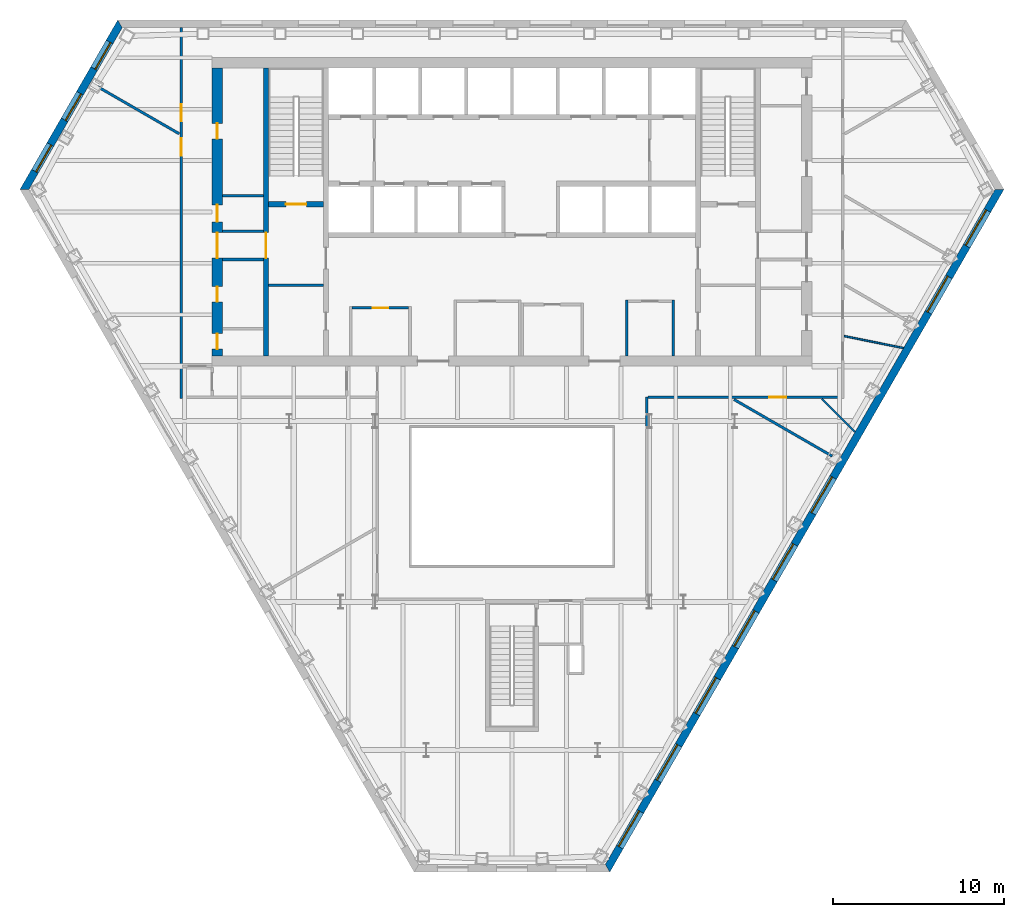
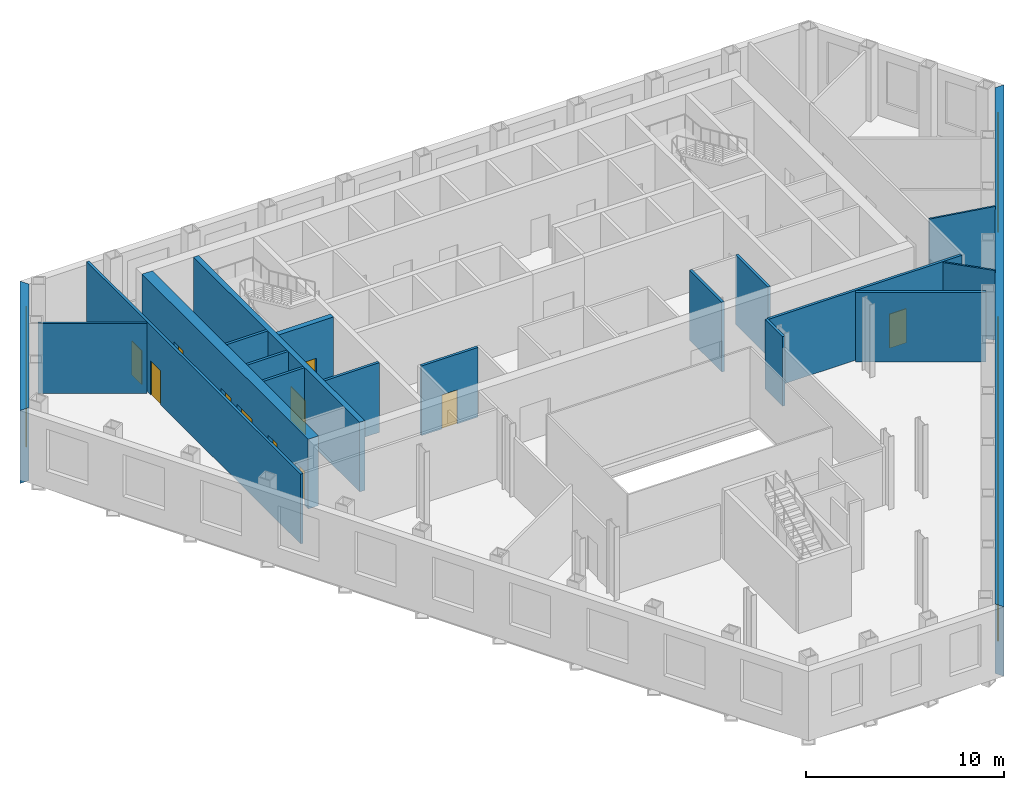
# One storey, part 6 of 11: 19 walls, 11 doors, 11 windows, 22 openings.
"""IFC4 building model written with IfcOpenShell, lengths in metres."""

from ifc_helpers import new_model, si_unit, direction, frame, frame_2d, origin, place, context, subcontext, project, spatial, polyline, rectangle, outline, extrude, material, layer, layer_set, type_object, element, fill, save


model = new_model("IFC4")

# Units and contexts
model_context = context("Model", 3, precision=1e-05, world=origin(), true_north=direction((0.0, 1.0)))
body_context = subcontext(model_context, "Body", "Model", "MODEL_VIEW")
ifc_project = project(units=[si_unit("LENGTHUNIT", "METRE"), si_unit("AREAUNIT", "SQUARE_METRE"), si_unit("VOLUMEUNIT", "CUBIC_METRE"), si_unit("PLANEANGLEUNIT", "RADIAN"), si_unit("MASSUNIT", "GRAM", prefix="KILO")], contexts=[model_context])

# Site, building, storey
site_placement = place(None, origin())
site = spatial("IfcSite", under=ifc_project, at=site_placement, CompositionType="ELEMENT")
building_placement = place(site_placement, origin())
building = spatial("IfcBuilding", under=site, at=building_placement, Name="Njiva Tower", CompositionType="ELEMENT")
storey_placement = place(building_placement, frame((0.0, 0.0, 46.8)))
storey = spatial("IfcBuildingStorey", under=building, at=storey_placement, Name="L09", CompositionType="ELEMENT", Elevation=46.8)

# Walls
ifc_material_1 = material(Name="Blockwork", Category="masonry")
ifc_layer_1 = layer(ifc_material_1, 0.15)
ifc_layer_set_1 = layer_set([ifc_layer_1], Name="Blockwork")
wall_type_1 = type_object("IfcWallType", Name="WT1 Compartment partition 150", PredefinedType="PARTITIONING", material=ifc_layer_set_1)
wall_1_placement = place(storey_placement, frame((-14.2, 4.725, 0.0), z_axis=(0.0, 0.0, 1.0), x_axis=(1.0, 0.0, 0.0)))
element("IfcWall", 1, at=wall_1_placement, inside=storey, type_object=wall_type_1, Name="Room wall A", PredefinedType="PARTITIONING", context=body_context, shape_type="SweptSolid", body=[
    extrude(rectangle(XDim=3.2, YDim=0.15, at=frame_2d((1.6, 0.0))), origin(), (0.0, 0.0, 1.0), 4.3),
])
wall_2_placement = place(storey_placement, frame((-16.9, 9.9575, 0.0), z_axis=(0.0, 0.0, 1.0), x_axis=(1.0, 0.0, 0.0)))
element("IfcWall", 2, at=wall_2_placement, inside=storey, type_object=wall_type_1, Name="Partition strip W10", PredefinedType="PARTITIONING", context=body_context, shape_type="SweptSolid", body=[
    extrude(rectangle(XDim=2.4, YDim=0.15, at=frame_2d((1.2, 0.0))), origin(), (0.0, 0.0, 1.0), 4.3),
])

# Wall, opening, door
wall_3_placement = place(storey_placement, frame((-9.325, 3.4, 0.0), z_axis=(0.0, 0.0, 1.0), x_axis=(1.0, 0.0, 0.0)))
wall_3 = element("IfcWall", 3, at=wall_3_placement, inside=storey, type_object=wall_type_1, Name="Waiting room wall north", PredefinedType="PARTITIONING", context=body_context, shape_type="SweptSolid", body=[
    extrude(rectangle(XDim=3.3, YDim=0.15, at=frame_2d((1.65, 0.0))), origin(), (0.0, 0.0, 1.0), 4.3),
])
opening_1_placement = place(wall_3_placement, frame((1.2, 0.0, 0.0)))
opening_1 = element("IfcOpeningElement", 4, at=opening_1_placement, cuts=wall_3, Name="Opening S03-D932", PredefinedType="OPENING", context=body_context, shape_type="SweptSolid", body=[
    extrude(rectangle(XDim=0.9, YDim=2.1, at=frame_2d((0.45, 1.05))), frame((0.0, 0.085, 0.0), z_axis=(0.0, -1.0, 0.0), x_axis=(1.0, 0.0, 0.0)), (0.0, 0.0, 1.0), 0.17),
])
ifc_material_2 = material(Name="Steel fire door, painted", Category="steel")
door_type_1 = type_object("IfcDoorType", Name="D6 Fire-rated door 900x2100", OperationType="SINGLE_SWING_LEFT", PredefinedType="DOOR", material=ifc_material_2)
door_1_placement = place(opening_1_placement, origin())
door_1 = element("IfcDoor", 5, at=door_1_placement, inside=storey, type_object=door_type_1, Name="Waiting room door", OperationType="SINGLE_SWING_RIGHT", OverallHeight=2.1, OverallWidth=0.9, PredefinedType="DOOR", context=body_context, shape_type="SweptSolid", body=[
    extrude(rectangle(XDim=0.9, YDim=2.1, at=frame_2d((0.45, 1.05))), frame((0.0, 0.025, 0.0), z_axis=(0.0, -1.0, 0.0), x_axis=(1.0, 0.0, 0.0)), (0.0, 0.0, 1.0), 0.05),
])
fill(opening_1, door_1)

# Walls
for number, where, z_axis, x_axis, name in (
    (6, (6.7, 0.6, 0.0), (0.0, 0.0, 1.0), (0.0, 1.0, 0.0), "Security office wall west"),
    (7, (9.4, 0.6, 0.0), (0.0, 0.0, 1.0), (0.0, 1.0, 0.0), "Security office wall east"),
):
    element("IfcWall", number, at=place(storey_placement, frame(where, z_axis=z_axis, x_axis=x_axis)), inside=storey, type_object=wall_type_1, Name=name, PredefinedType="PARTITIONING", context=body_context, shape_type="SweptSolid", body=[
        extrude(rectangle(XDim=3.275, YDim=0.15, at=frame_2d((1.6375, 0.0))), origin(), (0.0, 0.0, 1.0), 4.3),
    ])

# Wall, opening, door
ifc_material_3 = material(Name="Concrete C40/50", Category="concrete")
ifc_layer_2 = layer(ifc_material_3, 0.3)
ifc_layer_set_2 = layer_set([ifc_layer_2], Name="Concrete C40/50")
wall_type_2 = type_object("IfcWallType", Name="WT10 Stair enclosure wall 300", PredefinedType="SHEAR", material=ifc_layer_set_2)
wall_4_placement = place(storey_placement, frame((-14.35, 0.6, 0.0), z_axis=(0.0, 0.0, 1.0), x_axis=(0.0, 1.0, 0.0)))
wall_4 = element("IfcWall", 8, at=wall_4_placement, inside=storey, type_object=wall_type_2, Name="Stair wall west outer", PredefinedType="SHEAR", context=body_context, shape_type="SweptSolid", body=[
    extrude(rectangle(XDim=16.8, YDim=0.3, at=frame_2d((8.4, 0.0))), origin(), (0.0, 0.0, 1.0), 4.3),
])
opening_2_placement = place(wall_4_placement, frame((5.7, 0.0, 0.0)))
opening_2 = element("IfcOpeningElement", 9, at=opening_2_placement, cuts=wall_4, Name="Opening S03-D920", PredefinedType="OPENING", context=body_context, shape_type="SweptSolid", body=[
    extrude(rectangle(XDim=1.5, YDim=2.1, at=frame_2d((0.75, 1.05))), frame((0.0, 0.16, 0.0), z_axis=(0.0, -1.0, 0.0), x_axis=(1.0, 0.0, 0.0)), (0.0, 0.0, 1.0), 0.32),
])
ifc_material_4 = material(Name="Glazed steel fire door", Category="steel")
door_type_2 = type_object("IfcDoorType", Name="D10 Exit door double 1500x2100 glazed", OperationType="DOUBLE_DOOR_SINGLE_SWING", PredefinedType="DOOR", material=ifc_material_4)
door_2_placement = place(opening_2_placement, origin())
door_2 = element("IfcDoor", 10, at=door_2_placement, inside=storey, type_object=door_type_2, Name="Stair A passage door", OperationType="DOUBLE_DOOR_SINGLE_SWING", OverallHeight=2.1, OverallWidth=1.5, PredefinedType="DOOR", context=body_context, shape_type="SweptSolid", body=[
    extrude(rectangle(XDim=1.5, YDim=2.1, at=frame_2d((0.75, 1.05))), frame((0.0, 0.025, 0.0), z_axis=(0.0, -1.0, 0.0), x_axis=(1.0, 0.0, 0.0)), (0.0, 0.0, 1.0), 0.05),
])
fill(opening_2, door_2)

wall_5_placement = place(storey_placement, frame((-14.2, 9.45, 0.0), z_axis=(0.0, 0.0, 1.0), x_axis=(1.0, 0.0, 0.0)))
wall_5 = element("IfcWall", 11, at=wall_5_placement, inside=storey, type_object=wall_type_2, Name="Stair A south wall", PredefinedType="SHEAR", context=body_context, shape_type="SweptSolid", body=[
    extrude(rectangle(XDim=3.2, YDim=0.3, at=frame_2d((1.6, 0.0))), origin(), (0.0, 0.0, 1.0), 4.3),
])
opening_3_placement = place(wall_5_placement, frame((1.0, 0.0, 0.0)))
opening_3 = element("IfcOpeningElement", 12, at=opening_3_placement, cuts=wall_5, Name="Opening S03-D913", PredefinedType="OPENING", context=body_context, shape_type="SweptSolid", body=[
    extrude(rectangle(XDim=1.2, YDim=2.1, at=frame_2d((0.6, 1.05))), frame((0.0, 0.16, 0.0), z_axis=(0.0, -1.0, 0.0), x_axis=(1.0, 0.0, 0.0)), (0.0, 0.0, 1.0), 0.32),
])
door_type_3 = type_object("IfcDoorType", Name="D7 Stair vestibule door 1200x2100 glazed", OperationType="SINGLE_SWING_LEFT", PredefinedType="DOOR", material=ifc_material_4)
door_3_placement = place(opening_3_placement, origin())
door_3 = element("IfcDoor", 13, at=door_3_placement, inside=storey, type_object=door_type_3, Name="Stair A door", OperationType="SINGLE_SWING_LEFT", OverallHeight=2.1, OverallWidth=1.2, PredefinedType="DOOR", context=body_context, shape_type="SweptSolid", body=[
    extrude(rectangle(XDim=1.2, YDim=2.1, at=frame_2d((0.6, 1.05))), frame((0.0, 0.025, 0.0), z_axis=(0.0, -1.0, 0.0), x_axis=(1.0, 0.0, 0.0)), (0.0, 0.0, 1.0), 0.05),
])
fill(opening_3, door_3)

# Wall, openings, doors
ifc_material_5 = material(Name="Concrete C60/75", Category="concrete")
ifc_layer_3 = layer(ifc_material_5, 0.6)
ifc_layer_set_3 = layer_set([ifc_layer_3], Name="Concrete C60/75")
wall_type_3 = type_object("IfcWallType", Name="WT15 Core wall 600", PredefinedType="SHEAR", material=ifc_layer_set_3)
wall_6_placement = place(storey_placement, frame((-17.2, 0.6, 0.0), z_axis=(0.0, 0.0, 1.0), x_axis=(0.0, 1.0, 0.0)))
wall_6 = element("IfcWall", 14, at=wall_6_placement, inside=storey, type_object=wall_type_3, Name="Core wall west", PredefinedType="SHEAR", context=body_context, shape_type="SweptSolid", body=[
    extrude(rectangle(XDim=16.8, YDim=0.6, at=frame_2d((8.4, 0.0))), origin(), (0.0, 0.0, 1.0), 4.3),
])
opening_4_placement = place(wall_6_placement, frame((5.7, 0.0, 0.0)))
opening_4 = element("IfcOpeningElement", 15, at=opening_4_placement, cuts=wall_6, Name="Opening S03-D921", PredefinedType="OPENING", context=body_context, shape_type="SweptSolid", body=[
    extrude(rectangle(XDim=1.5, YDim=2.1, at=frame_2d((0.75, 1.05))), frame((0.0, 0.31, 0.0), z_axis=(0.0, -1.0, 0.0), x_axis=(1.0, 0.0, 0.0)), (0.0, 0.0, 1.0), 0.62),
])
opening_5_placement = place(wall_6_placement, frame((0.4, 0.0, 0.0)))
opening_5 = element("IfcOpeningElement", 16, at=opening_5_placement, cuts=wall_6, Name="Opening S03-D922", PredefinedType="OPENING", context=body_context, shape_type="SweptSolid", body=[
    extrude(rectangle(XDim=0.9, YDim=2.1, at=frame_2d((0.45, 1.05))), frame((0.0, 0.31, 0.0), z_axis=(0.0, -1.0, 0.0), x_axis=(1.0, 0.0, 0.0)), (0.0, 0.0, 1.0), 0.62),
])
opening_6_placement = place(wall_6_placement, frame((3.15, 0.0, 0.0)))
opening_6 = element("IfcOpeningElement", 17, at=opening_6_placement, cuts=wall_6, Name="Opening S03-D923", PredefinedType="OPENING", context=body_context, shape_type="SweptSolid", body=[
    extrude(rectangle(XDim=0.9, YDim=2.1, at=frame_2d((0.45, 1.05))), frame((0.0, 0.31, 0.0), z_axis=(0.0, -1.0, 0.0), x_axis=(1.0, 0.0, 0.0)), (0.0, 0.0, 1.0), 0.62),
])
opening_7_placement = place(wall_6_placement, frame((7.8162, 0.0, 0.0)))
opening_7 = element("IfcOpeningElement", 18, at=opening_7_placement, cuts=wall_6, Name="Opening S03-D924", PredefinedType="OPENING", context=body_context, shape_type="SweptSolid", body=[
    extrude(rectangle(XDim=1.0, YDim=2.1, at=frame_2d((0.5, 1.05))), frame((0.0, 0.31, 0.0), z_axis=(0.0, -1.0, 0.0), x_axis=(1.0, 0.0, 0.0)), (0.0, 0.0, 1.0), 0.62),
])
opening_8_placement = place(wall_6_placement, frame((12.6662, 0.0, 0.0)))
opening_8 = element("IfcOpeningElement", 19, at=opening_8_placement, cuts=wall_6, Name="Opening S03-D925", PredefinedType="OPENING", context=body_context, shape_type="SweptSolid", body=[
    extrude(rectangle(XDim=0.9, YDim=2.1, at=frame_2d((0.45, 1.05))), frame((0.0, 0.31, 0.0), z_axis=(0.0, -1.0, 0.0), x_axis=(1.0, 0.0, 0.0)), (0.0, 0.0, 1.0), 0.62),
])
door_4_placement = place(opening_4_placement, origin())
door_4 = element("IfcDoor", 20, at=door_4_placement, inside=storey, type_object=door_type_2, Name="Stair A corridor door", OperationType="DOUBLE_DOOR_SINGLE_SWING", OverallHeight=2.1, OverallWidth=1.5, PredefinedType="DOOR", context=body_context, shape_type="SweptSolid", body=[
    extrude(rectangle(XDim=1.5, YDim=2.1, at=frame_2d((0.75, 1.05))), frame((0.0, 0.025, 0.0), z_axis=(0.0, -1.0, 0.0), x_axis=(1.0, 0.0, 0.0)), (0.0, 0.0, 1.0), 0.05),
])
fill(opening_4, door_4)
ifc_material_6 = material(Name="Steel door, painted", Category="steel")
door_type_4 = type_object("IfcDoorType", Name="D4 Riser door 900x2100", OperationType="SINGLE_SWING_LEFT", PredefinedType="DOOR", material=ifc_material_6)
door_5_placement = place(opening_5_placement, origin())
door_5 = element("IfcDoor", 21, at=door_5_placement, inside=storey, type_object=door_type_4, Name="Riser door", OperationType="SINGLE_SWING_RIGHT", OverallHeight=2.1, OverallWidth=0.9, PredefinedType="DOOR", context=body_context, shape_type="SweptSolid", body=[
    extrude(rectangle(XDim=0.9, YDim=2.1, at=frame_2d((0.45, 1.05))), frame((0.0, 0.025, 0.0), z_axis=(0.0, -1.0, 0.0), x_axis=(1.0, 0.0, 0.0)), (0.0, 0.0, 1.0), 0.05),
])
fill(opening_5, door_5)
door_type_5 = type_object("IfcDoorType", Name="D5 Steel door 1000x2100", OperationType="SINGLE_SWING_LEFT", PredefinedType="DOOR", material=ifc_material_6)
door_6_placement = place(opening_7_placement, origin())
door_6 = element("IfcDoor", 22, at=door_6_placement, inside=storey, type_object=door_type_5, Name="Electrical room door", OperationType="SINGLE_SWING_LEFT", OverallHeight=2.1, OverallWidth=1.0, PredefinedType="DOOR", context=body_context, shape_type="SweptSolid", body=[
    extrude(rectangle(XDim=1.0, YDim=2.1, at=frame_2d((0.5, 1.05))), frame((0.0, 0.025, 0.0), z_axis=(0.0, -1.0, 0.0), x_axis=(1.0, 0.0, 0.0)), (0.0, 0.0, 1.0), 0.05),
])
fill(opening_7, door_6)
door_7_placement = place(opening_6_placement, origin())
door_7 = element("IfcDoor", 23, at=door_7_placement, inside=storey, type_object=door_type_1, Name="First aid room door", OperationType="SINGLE_SWING_LEFT", OverallHeight=2.1, OverallWidth=0.9, PredefinedType="DOOR", context=body_context, shape_type="SweptSolid", body=[
    extrude(rectangle(XDim=0.9, YDim=2.1, at=frame_2d((0.45, 1.05))), frame((0.0, 0.025, 0.0), z_axis=(0.0, -1.0, 0.0), x_axis=(1.0, 0.0, 0.0)), (0.0, 0.0, 1.0), 0.05),
])
fill(opening_6, door_7)
door_8_placement = place(opening_8_placement, origin())
door_8 = element("IfcDoor", 24, at=door_8_placement, inside=storey, type_object=door_type_1, Name="Breakout room door", OperationType="SINGLE_SWING_RIGHT", OverallHeight=2.1, OverallWidth=0.9, PredefinedType="DOOR", context=body_context, shape_type="SweptSolid", body=[
    extrude(rectangle(XDim=0.9, YDim=2.1, at=frame_2d((0.45, 1.05))), frame((0.0, 0.025, 0.0), z_axis=(0.0, -1.0, 0.0), x_axis=(1.0, 0.0, 0.0)), (0.0, 0.0, 1.0), 0.05),
])
fill(opening_8, door_8)

# Walls
ifc_material_7 = material(Name="Gypsum board on steel studs", Category="gypsum")
ifc_layer_4 = layer(ifc_material_7, 0.1)
ifc_layer_set_4 = layer_set([ifc_layer_4], Name="Gypsum board on steel studs")
wall_type_4 = type_object("IfcWallType", Name="WT20 Gypsum partition 100", PredefinedType="PARTITIONING", material=ifc_layer_set_4)
wall_7_placement = place(storey_placement, frame((18.088, -1.91, 0.0), z_axis=(0.0, 0.0, 1.0), x_axis=(0.707106781187, -0.707106781187, 0.0)))
element("IfcWall", 25, at=wall_7_placement, inside=storey, type_object=wall_type_4, Name="Partition S03-P015", PredefinedType="PARTITIONING", context=body_context, shape_type="SweptSolid", body=[
    extrude(rectangle(XDim=2.7224, YDim=0.1, at=frame_2d((1.3612, 0.0))), origin(), (0.0, 0.0, 1.0), 4.3),
])
wall_8_placement = place(storey_placement, frame((19.385, 1.757, 0.0), z_axis=(0.0, 0.0, 1.0), x_axis=(0.980240840704, -0.197807720316, 0.0)))
element("IfcWall", 26, at=wall_8_placement, inside=storey, type_object=wall_type_4, Name="Partition S03-P018", PredefinedType="PARTITIONING", context=body_context, shape_type="SweptSolid", body=[
    extrude(rectangle(XDim=3.5236, YDim=0.1, at=frame_2d((1.7618, 0.0))), origin(), (0.0, 0.0, 1.0), 4.3),
])
ifc_layer_5 = layer(ifc_material_7, 0.15)
ifc_layer_set_5 = layer_set([ifc_layer_5], Name="Gypsum board on steel studs")
wall_type_5 = type_object("IfcWallType", Name="WT21 Compartment wall 150", PredefinedType="PARTITIONING", material=ifc_layer_set_5)
wall_9_placement = place(storey_placement, frame((-24.199, 16.323, 0.0), z_axis=(0.0, 0.0, 1.0), x_axis=(0.866086170813, -0.499894733645, 0.0)))
element("IfcWall", 27, at=wall_9_placement, inside=storey, type_object=wall_type_5, Name="Partition S03-P001", PredefinedType="PARTITIONING", context=body_context, shape_type="SweptSolid", body=[
    extrude(rectangle(XDim=5.5272, YDim=0.15, at=frame_2d((2.7636, 0.0))), origin(), (0.0, 0.0, 1.0), 4.3),
])

# Wall, openings, doors
wall_10_placement = place(storey_placement, frame((-19.3, -1.875, 0.0), z_axis=(0.0, 0.0, 1.0), x_axis=(0.0, 1.0, 0.0)))
wall_10 = element("IfcWall", 28, at=wall_10_placement, inside=storey, type_object=wall_type_5, Name="Partition S03-P002", PredefinedType="PARTITIONING", context=body_context, shape_type="SweptSolid", body=[
    extrude(rectangle(XDim=21.624, YDim=0.15, at=frame_2d((10.812, 0.0))), origin(), (0.0, 0.0, 1.0), 4.3),
])
opening_9_placement = place(wall_10_placement, frame((14.166, 0.0, 0.0)))
opening_9 = element("IfcOpeningElement", 29, at=opening_9_placement, cuts=wall_10, Name="Opening S03-D001", PredefinedType="OPENING", context=body_context, shape_type="SweptSolid", body=[
    extrude(rectangle(XDim=1.0, YDim=2.1, at=frame_2d((0.5, 1.05))), frame((0.0, 0.085, 0.0), z_axis=(0.0, -1.0, 0.0), x_axis=(1.0, 0.0, 0.0)), (0.0, 0.0, 1.0), 0.17),
])
opening_10_placement = place(wall_10_placement, frame((16.17, 0.0, 0.0)))
opening_10 = element("IfcOpeningElement", 30, at=opening_10_placement, cuts=wall_10, Name="Opening S03-D002", PredefinedType="OPENING", context=body_context, shape_type="SweptSolid", body=[
    extrude(rectangle(XDim=1.0, YDim=2.1, at=frame_2d((0.5, 1.05))), frame((0.0, 0.085, 0.0), z_axis=(0.0, -1.0, 0.0), x_axis=(1.0, 0.0, 0.0)), (0.0, 0.0, 1.0), 0.17),
])
ifc_material_8 = material(Name="Steel fire door set", Category="steel")
door_type_6 = type_object("IfcDoorType", Name="D37 Fire door 1000x2100", OperationType="SINGLE_SWING_LEFT", PredefinedType="DOOR", material=ifc_material_8)
door_9_placement = place(opening_9_placement, origin())
door_9 = element("IfcDoor", 31, at=door_9_placement, inside=storey, type_object=door_type_6, Name="Door S03-D001", OperationType="SINGLE_SWING_LEFT", OverallHeight=2.1, OverallWidth=1.0, PredefinedType="DOOR", context=body_context, shape_type="SweptSolid", body=[
    extrude(rectangle(XDim=1.0, YDim=2.1, at=frame_2d((0.5, 1.05))), frame((0.0, 0.025, 0.0), z_axis=(0.0, -1.0, 0.0), x_axis=(1.0, 0.0, 0.0)), (0.0, 0.0, 1.0), 0.05),
])
fill(opening_9, door_9)
door_10_placement = place(opening_10_placement, origin())
door_10 = element("IfcDoor", 32, at=door_10_placement, inside=storey, type_object=door_type_6, Name="Door S03-D002", OperationType="SINGLE_SWING_LEFT", OverallHeight=2.1, OverallWidth=1.0, PredefinedType="DOOR", context=body_context, shape_type="SweptSolid", body=[
    extrude(rectangle(XDim=1.0, YDim=2.1, at=frame_2d((0.5, 1.05))), frame((0.0, 0.025, 0.0), z_axis=(0.0, -1.0, 0.0), x_axis=(1.0, 0.0, 0.0)), (0.0, 0.0, 1.0), 0.05),
])
fill(opening_10, door_10)

# Wall
wall_11_placement = place(storey_placement, frame((7.85, -3.557, 0.0), z_axis=(0.0, 0.0, 1.0), x_axis=(0.0, 1.0, 0.0)))
element("IfcWall", 33, at=wall_11_placement, inside=storey, type_object=wall_type_5, Name="Partition S03-P012A", PredefinedType="PARTITIONING", context=body_context, shape_type="SweptSolid", body=[
    extrude(rectangle(XDim=1.769, YDim=0.15, at=frame_2d((0.8845, 0.0))), origin(), (0.0, 0.0, 1.0), 4.3),
])

# Wall, opening, door
wall_12_placement = place(storey_placement, frame((7.925, -1.8, 0.0), z_axis=(0.0, 0.0, 1.0), x_axis=(1.0, 0.0, 0.0)))
wall_12 = element("IfcWall", 34, at=wall_12_placement, inside=storey, type_object=wall_type_5, Name="Partition S03-P013", PredefinedType="PARTITIONING", context=body_context, shape_type="SweptSolid", body=[
    extrude(rectangle(XDim=11.3, YDim=0.15, at=frame_2d((5.65, 0.0))), origin(), (0.0, 0.0, 1.0), 4.3),
])
opening_11_placement = place(wall_12_placement, frame((7.087, 0.0, 0.0)))
opening_11 = element("IfcOpeningElement", 35, at=opening_11_placement, cuts=wall_12, Name="Opening S03-D008", PredefinedType="OPENING", context=body_context, shape_type="SweptSolid", body=[
    extrude(rectangle(XDim=1.0, YDim=2.1, at=frame_2d((0.5, 1.05))), frame((0.0, 0.085, 0.0), z_axis=(0.0, -1.0, 0.0), x_axis=(1.0, 0.0, 0.0)), (0.0, 0.0, 1.0), 0.17),
])
door_11_placement = place(opening_11_placement, origin())
door_11 = element("IfcDoor", 36, at=door_11_placement, inside=storey, type_object=door_type_6, Name="Door S03-D008", OperationType="SINGLE_SWING_RIGHT", OverallHeight=2.1, OverallWidth=1.0, PredefinedType="DOOR", context=body_context, shape_type="SweptSolid", body=[
    extrude(rectangle(XDim=1.0, YDim=2.1, at=frame_2d((0.5, 1.05))), frame((0.0, 0.025, 0.0), z_axis=(0.0, -1.0, 0.0), x_axis=(1.0, 0.0, 0.0)), (0.0, 0.0, 1.0), 0.05),
])
fill(opening_11, door_11)

# Walls
wall_13_placement = place(storey_placement, frame((12.953, -1.94, 0.0), z_axis=(0.0, 0.0, 1.0), x_axis=(0.86605716012, -0.499944992379, 0.0)))
element("IfcWall", 37, at=wall_13_placement, inside=storey, type_object=wall_type_5, Name="Partition S03-P014", PredefinedType="PARTITIONING", context=body_context, shape_type="SweptSolid", body=[
    extrude(rectangle(XDim=6.6127, YDim=0.15, at=frame_2d((3.3064, 0.0))), origin(), (0.0, 0.0, 1.0), 4.3),
])
ifc_layer_6 = layer(ifc_material_1, 0.15)
ifc_layer_set_6 = layer_set([ifc_layer_6], Name="Blockwork")
wall_type_6 = type_object("IfcWallType", Name="WT4 Stair partition 150", PredefinedType="PARTITIONING", material=ifc_layer_set_6)
for number, where, z_axis, x_axis, name in (
    (38, (-16.9, 6.225, 0.0), (0.0, 0.0, 1.0), (1.0, 0.0, 0.0), "Stair A exit passage wall south"),
    (39, (-16.9, 7.875, 0.0), (0.0, 0.0, 1.0), (1.0, 0.0, 0.0), "Stair A exit passage wall north"),
):
    element("IfcWall", number, at=place(storey_placement, frame(where, z_axis=z_axis, x_axis=x_axis)), inside=storey, type_object=wall_type_6, Name=name, PredefinedType="PARTITIONING", context=body_context, shape_type="SweptSolid", body=[
        extrude(rectangle(XDim=2.4, YDim=0.15, at=frame_2d((1.2, 0.0))), origin(), (0.0, 0.0, 1.0), 4.3),
    ])

# Wall, openings, windows
ifc_material_9 = material(Name="Brick masonry", Category="masonry")
ifc_layer_7 = layer(ifc_material_9, 0.45)
ifc_layer_set_7 = layer_set([ifc_layer_7], Name="Brick masonry")
wall_type_7 = type_object("IfcWallType", Name="WT90 Brick pier and spandrel wall 450", PredefinedType="SOLIDWALL", material=ifc_layer_set_7)
wall_14_placement = place(storey_placement, frame((5.5751, -29.2935, -0.18), z_axis=(0.0, 0.0, 1.0), x_axis=(0.499999764979, 0.866025539474, 0.0)))
wall_14 = element("IfcWall", 40, at=wall_14_placement, inside=storey, type_object=wall_type_7, Name="Facade wall SE", PredefinedType="SOLIDWALL", context=body_context, shape_type="SweptSolid", body=[
    extrude(outline(polyline([(-0.1299, -0.225), (45.8701, -0.225), (45.6103, 0.225), (0.1299, 0.225), (-0.1299, -0.225)])), origin(), (0.0, 0.0, 1.0), 4.28),
])
opening_12_placement = place(wall_14_placement, frame((1.4242, 0.0, 1.08)))
opening_12 = element("IfcOpeningElement", 41, at=opening_12_placement, cuts=wall_14, Name="Opening S03-W25", PredefinedType="OPENING", context=body_context, shape_type="SweptSolid", body=[
    extrude(rectangle(XDim=2.4, YDim=2.6, at=frame_2d((1.2, 1.3))), frame((0.0, 0.235, 0.0), z_axis=(0.0, -1.0, 0.0), x_axis=(1.0, 0.0, 0.0)), (0.0, 0.0, 1.0), 0.47),
])
opening_13_placement = place(wall_14_placement, frame((5.8934, 0.0, 1.08)))
opening_13 = element("IfcOpeningElement", 42, at=opening_13_placement, cuts=wall_14, Name="Opening S03-W26", PredefinedType="OPENING", context=body_context, shape_type="SweptSolid", body=[
    extrude(rectangle(XDim=2.4, YDim=2.6, at=frame_2d((1.2, 1.3))), frame((0.0, 0.235, 0.0), z_axis=(0.0, -1.0, 0.0), x_axis=(1.0, 0.0, 0.0)), (0.0, 0.0, 1.0), 0.47),
])
opening_14_placement = place(wall_14_placement, frame((10.401, 0.0, 1.08)))
opening_14 = element("IfcOpeningElement", 43, at=opening_14_placement, cuts=wall_14, Name="Opening S03-W27", PredefinedType="OPENING", context=body_context, shape_type="SweptSolid", body=[
    extrude(rectangle(XDim=2.4, YDim=2.6, at=frame_2d((1.2, 1.3))), frame((0.0, 0.235, 0.0), z_axis=(0.0, -1.0, 0.0), x_axis=(1.0, 0.0, 0.0)), (0.0, 0.0, 1.0), 0.47),
])
opening_15_placement = place(wall_14_placement, frame((14.9087, 0.0, 1.08)))
opening_15 = element("IfcOpeningElement", 44, at=opening_15_placement, cuts=wall_14, Name="Opening S03-W28", PredefinedType="OPENING", context=body_context, shape_type="SweptSolid", body=[
    extrude(rectangle(XDim=2.4, YDim=2.6, at=frame_2d((1.2, 1.3))), frame((0.0, 0.235, 0.0), z_axis=(0.0, -1.0, 0.0), x_axis=(1.0, 0.0, 0.0)), (0.0, 0.0, 1.0), 0.47),
])
opening_16_placement = place(wall_14_placement, frame((19.4163, 0.0, 1.08)))
opening_16 = element("IfcOpeningElement", 45, at=opening_16_placement, cuts=wall_14, Name="Opening S03-W29", PredefinedType="OPENING", context=body_context, shape_type="SweptSolid", body=[
    extrude(rectangle(XDim=2.4, YDim=2.6, at=frame_2d((1.2, 1.3))), frame((0.0, 0.235, 0.0), z_axis=(0.0, -1.0, 0.0), x_axis=(1.0, 0.0, 0.0)), (0.0, 0.0, 1.0), 0.47),
])
opening_17_placement = place(wall_14_placement, frame((23.9239, 0.0, 1.08)))
opening_17 = element("IfcOpeningElement", 46, at=opening_17_placement, cuts=wall_14, Name="Opening S03-W30", PredefinedType="OPENING", context=body_context, shape_type="SweptSolid", body=[
    extrude(rectangle(XDim=2.4, YDim=2.6, at=frame_2d((1.2, 1.3))), frame((0.0, 0.235, 0.0), z_axis=(0.0, -1.0, 0.0), x_axis=(1.0, 0.0, 0.0)), (0.0, 0.0, 1.0), 0.47),
])
opening_18_placement = place(wall_14_placement, frame((37.4468, 0.0, 1.08)))
opening_18 = element("IfcOpeningElement", 47, at=opening_18_placement, cuts=wall_14, Name="Opening S03-W31", PredefinedType="OPENING", context=body_context, shape_type="SweptSolid", body=[
    extrude(rectangle(XDim=2.4, YDim=2.6, at=frame_2d((1.2, 1.3))), frame((0.0, 0.235, 0.0), z_axis=(0.0, -1.0, 0.0), x_axis=(1.0, 0.0, 0.0)), (0.0, 0.0, 1.0), 0.47),
])
opening_19_placement = place(wall_14_placement, frame((41.916, 0.0, 1.08)))
opening_19 = element("IfcOpeningElement", 48, at=opening_19_placement, cuts=wall_14, Name="Opening S03-W32", PredefinedType="OPENING", context=body_context, shape_type="SweptSolid", body=[
    extrude(rectangle(XDim=2.4, YDim=2.6, at=frame_2d((1.2, 1.3))), frame((0.0, 0.235, 0.0), z_axis=(0.0, -1.0, 0.0), x_axis=(1.0, 0.0, 0.0)), (0.0, 0.0, 1.0), 0.47),
])
ifc_material_10 = material(Name="Clear glazing in aluminium frame", Category="aluminium")
window_type_1 = type_object("IfcWindowType", Name="W92 Deep-set window 2400x2600", PartitioningType="SINGLE_PANEL", PredefinedType="WINDOW", material=ifc_material_10)
window_1_placement = place(opening_12_placement, origin())
window_1 = element("IfcWindow", 49, at=window_1_placement, inside=storey, type_object=window_type_1, Name="Window", OverallHeight=2.6, OverallWidth=2.4, PartitioningType="SINGLE_PANEL", PredefinedType="WINDOW", context=body_context, shape_type="SweptSolid", body=[
    extrude(rectangle(XDim=2.4, YDim=2.6, at=frame_2d((1.2, 1.3))), frame((0.0, 0.105, 0.0), z_axis=(0.0, -1.0, 0.0), x_axis=(1.0, 0.0, 0.0)), (0.0, 0.0, 1.0), 0.06),
])
fill(opening_12, window_1)
window_2_placement = place(opening_13_placement, origin())
window_2 = element("IfcWindow", 50, at=window_2_placement, inside=storey, type_object=window_type_1, Name="Window", OverallHeight=2.6, OverallWidth=2.4, PartitioningType="SINGLE_PANEL", PredefinedType="WINDOW", context=body_context, shape_type="SweptSolid", body=[
    extrude(rectangle(XDim=2.4, YDim=2.6, at=frame_2d((1.2, 1.3))), frame((0.0, 0.105, 0.0), z_axis=(0.0, -1.0, 0.0), x_axis=(1.0, 0.0, 0.0)), (0.0, 0.0, 1.0), 0.06),
])
fill(opening_13, window_2)
window_3_placement = place(opening_14_placement, origin())
window_3 = element("IfcWindow", 51, at=window_3_placement, inside=storey, type_object=window_type_1, Name="Window", OverallHeight=2.6, OverallWidth=2.4, PartitioningType="SINGLE_PANEL", PredefinedType="WINDOW", context=body_context, shape_type="SweptSolid", body=[
    extrude(rectangle(XDim=2.4, YDim=2.6, at=frame_2d((1.2, 1.3))), frame((0.0, 0.105, 0.0), z_axis=(0.0, -1.0, 0.0), x_axis=(1.0, 0.0, 0.0)), (0.0, 0.0, 1.0), 0.06),
])
fill(opening_14, window_3)
window_4_placement = place(opening_15_placement, origin())
window_4 = element("IfcWindow", 52, at=window_4_placement, inside=storey, type_object=window_type_1, Name="Window", OverallHeight=2.6, OverallWidth=2.4, PartitioningType="SINGLE_PANEL", PredefinedType="WINDOW", context=body_context, shape_type="SweptSolid", body=[
    extrude(rectangle(XDim=2.4, YDim=2.6, at=frame_2d((1.2, 1.3))), frame((0.0, 0.105, 0.0), z_axis=(0.0, -1.0, 0.0), x_axis=(1.0, 0.0, 0.0)), (0.0, 0.0, 1.0), 0.06),
])
fill(opening_15, window_4)
window_5_placement = place(opening_16_placement, origin())
window_5 = element("IfcWindow", 53, at=window_5_placement, inside=storey, type_object=window_type_1, Name="Window", OverallHeight=2.6, OverallWidth=2.4, PartitioningType="SINGLE_PANEL", PredefinedType="WINDOW", context=body_context, shape_type="SweptSolid", body=[
    extrude(rectangle(XDim=2.4, YDim=2.6, at=frame_2d((1.2, 1.3))), frame((0.0, 0.105, 0.0), z_axis=(0.0, -1.0, 0.0), x_axis=(1.0, 0.0, 0.0)), (0.0, 0.0, 1.0), 0.06),
])
fill(opening_16, window_5)
window_6_placement = place(opening_17_placement, origin())
window_6 = element("IfcWindow", 54, at=window_6_placement, inside=storey, type_object=window_type_1, Name="Window", OverallHeight=2.6, OverallWidth=2.4, PartitioningType="SINGLE_PANEL", PredefinedType="WINDOW", context=body_context, shape_type="SweptSolid", body=[
    extrude(rectangle(XDim=2.4, YDim=2.6, at=frame_2d((1.2, 1.3))), frame((0.0, 0.105, 0.0), z_axis=(0.0, -1.0, 0.0), x_axis=(1.0, 0.0, 0.0)), (0.0, 0.0, 1.0), 0.06),
])
fill(opening_17, window_6)
window_7_placement = place(opening_18_placement, origin())
window_7 = element("IfcWindow", 55, at=window_7_placement, inside=storey, type_object=window_type_1, Name="Window", OverallHeight=2.6, OverallWidth=2.4, PartitioningType="SINGLE_PANEL", PredefinedType="WINDOW", context=body_context, shape_type="SweptSolid", body=[
    extrude(rectangle(XDim=2.4, YDim=2.6, at=frame_2d((1.2, 1.3))), frame((0.0, 0.105, 0.0), z_axis=(0.0, -1.0, 0.0), x_axis=(1.0, 0.0, 0.0)), (0.0, 0.0, 1.0), 0.06),
])
fill(opening_18, window_7)
window_8_placement = place(opening_19_placement, origin())
window_8 = element("IfcWindow", 56, at=window_8_placement, inside=storey, type_object=window_type_1, Name="Window", OverallHeight=2.6, OverallWidth=2.4, PartitioningType="SINGLE_PANEL", PredefinedType="WINDOW", context=body_context, shape_type="SweptSolid", body=[
    extrude(rectangle(XDim=2.4, YDim=2.6, at=frame_2d((1.2, 1.3))), frame((0.0, 0.105, 0.0), z_axis=(0.0, -1.0, 0.0), x_axis=(1.0, 0.0, 0.0)), (0.0, 0.0, 1.0), 0.06),
])
fill(opening_19, window_8)

ifc_material_11 = material(Name="Brick masonry, buff", Category="masonry")
ifc_layer_8 = layer(ifc_material_11, 0.45)
ifc_layer_set_8 = layer_set([ifc_layer_8], Name="Brick masonry, buff")
wall_type_8 = type_object("IfcWallType", Name="WT94 Brick pier and spandrel wall 450, buff", PredefinedType="SOLIDWALL", material=ifc_layer_set_8)
wall_15_placement = place(storey_placement, frame((-22.8701, 19.975, -0.4), z_axis=(0.0, 0.0, 1.0), x_axis=(-0.500002192499, -0.866024137941, 0.0)))
wall_15 = element("IfcWall", 57, at=wall_15_placement, inside=storey, type_object=wall_type_8, Name="Facade wall NW", PredefinedType="SOLIDWALL", context=body_context, shape_type="SweptSolid", body=[
    extrude(outline(polyline([(-0.1299, -0.225), (11.2801, -0.225), (11.0203, 0.225), (0.1299, 0.225), (-0.1299, -0.225)])), origin(), (0.0, 0.0, 1.0), 4.5),
])
opening_20_placement = place(wall_15_placement, frame((1.2181, 0.0, 1.3)))
opening_20 = element("IfcOpeningElement", 58, at=opening_20_placement, cuts=wall_15, Name="Opening S03-W09", PredefinedType="OPENING", context=body_context, shape_type="SweptSolid", body=[
    extrude(rectangle(XDim=1.8, YDim=2.6, at=frame_2d((0.9, 1.3))), frame((0.0, 0.235, 0.0), z_axis=(0.0, -1.0, 0.0), x_axis=(1.0, 0.0, 0.0)), (0.0, 0.0, 1.0), 0.47),
])
opening_21_placement = place(wall_15_placement, frame((4.6751, 0.0, 1.3)))
opening_21 = element("IfcOpeningElement", 59, at=opening_21_placement, cuts=wall_15, Name="Opening S03-W10", PredefinedType="OPENING", context=body_context, shape_type="SweptSolid", body=[
    extrude(rectangle(XDim=1.8, YDim=2.6, at=frame_2d((0.9, 1.3))), frame((0.0, 0.235, 0.0), z_axis=(0.0, -1.0, 0.0), x_axis=(1.0, 0.0, 0.0)), (0.0, 0.0, 1.0), 0.47),
])
opening_22_placement = place(wall_15_placement, frame((8.1321, 0.0, 1.3)))
opening_22 = element("IfcOpeningElement", 60, at=opening_22_placement, cuts=wall_15, Name="Opening S03-W11", PredefinedType="OPENING", context=body_context, shape_type="SweptSolid", body=[
    extrude(rectangle(XDim=1.8, YDim=2.6, at=frame_2d((0.9, 1.3))), frame((0.0, 0.235, 0.0), z_axis=(0.0, -1.0, 0.0), x_axis=(1.0, 0.0, 0.0)), (0.0, 0.0, 1.0), 0.47),
])
window_type_2 = type_object("IfcWindowType", Name="W96 Deep-set window 1800x2600", PartitioningType="SINGLE_PANEL", PredefinedType="WINDOW", material=ifc_material_10)
window_9_placement = place(opening_20_placement, origin())
window_9 = element("IfcWindow", 61, at=window_9_placement, inside=storey, type_object=window_type_2, Name="Window", OverallHeight=2.6, OverallWidth=1.8, PartitioningType="SINGLE_PANEL", PredefinedType="WINDOW", context=body_context, shape_type="SweptSolid", body=[
    extrude(rectangle(XDim=1.8, YDim=2.6, at=frame_2d((0.9, 1.3))), frame((0.0, 0.105, 0.0), z_axis=(0.0, -1.0, 0.0), x_axis=(1.0, 0.0, 0.0)), (0.0, 0.0, 1.0), 0.06),
])
fill(opening_20, window_9)
window_10_placement = place(opening_21_placement, origin())
window_10 = element("IfcWindow", 62, at=window_10_placement, inside=storey, type_object=window_type_2, Name="Window", OverallHeight=2.6, OverallWidth=1.8, PartitioningType="SINGLE_PANEL", PredefinedType="WINDOW", context=body_context, shape_type="SweptSolid", body=[
    extrude(rectangle(XDim=1.8, YDim=2.6, at=frame_2d((0.9, 1.3))), frame((0.0, 0.105, 0.0), z_axis=(0.0, -1.0, 0.0), x_axis=(1.0, 0.0, 0.0)), (0.0, 0.0, 1.0), 0.06),
])
fill(opening_21, window_10)
window_11_placement = place(opening_22_placement, origin())
window_11 = element("IfcWindow", 63, at=window_11_placement, inside=storey, type_object=window_type_2, Name="Window", OverallHeight=2.6, OverallWidth=1.8, PartitioningType="SINGLE_PANEL", PredefinedType="WINDOW", context=body_context, shape_type="SweptSolid", body=[
    extrude(rectangle(XDim=1.8, YDim=2.6, at=frame_2d((0.9, 1.3))), frame((0.0, 0.105, 0.0), z_axis=(0.0, -1.0, 0.0), x_axis=(1.0, 0.0, 0.0)), (0.0, 0.0, 1.0), 0.06),
])
fill(opening_22, window_11)

save(model, "model.ifc")
